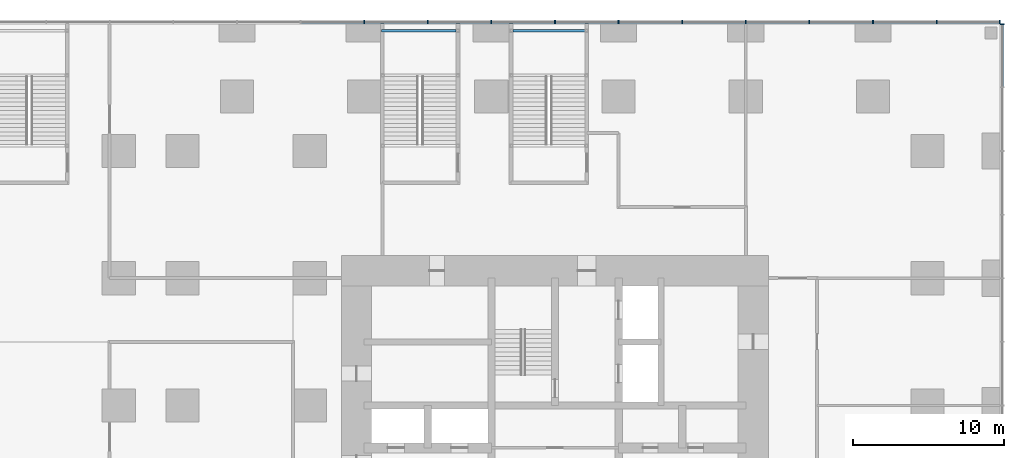
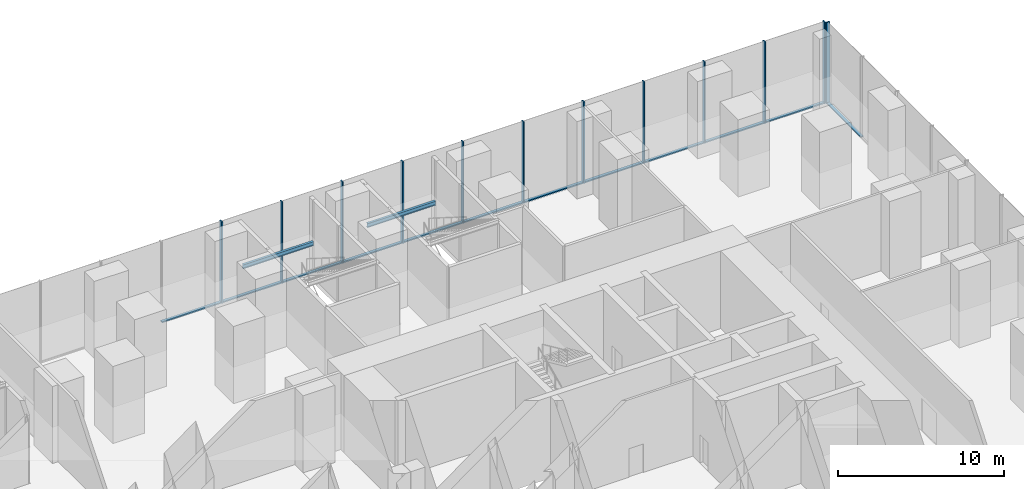
# One storey, part 22 of 32: 24 members, 2 beams, 2 elements without a shape of their own.
"""IFC4 building model written with IfcOpenShell, lengths in metres."""

import ifcopenshell
import ifcopenshell.guid

model = None  # the IFC model being written
_history = None  # IfcOwnerHistory: only IFC2X3 demands one
_inside = {}  # id of a spatial element -> (the spatial element, [elements in it])
_under = {}  # id of a project, library or spatial element -> (it, [spatial elements below it])
_declared = {}  # id of a project -> (the project, [libraries it declares])
_typed = {}  # id of a type object -> (the type object, [elements of that type])
_made_of = {}  # id of a material, layer set ... -> (it, [elements and type objects made of it])


def new_model(schema):
    """Start an empty IFC model of exactly this schema.

    Asked for "IFC4X3", IfcOpenShell would pick the latest addendum, in which some entities
    have other attributes; the version numbers below select the first issue.
    IFC2X3 requires an IfcOwnerHistory on every rooted entity: one is made here for all.
    """
    global model, _history
    if schema == "IFC4X3":
        model = ifcopenshell.file(schema_version=(4, 3, 0, 0))
    else:
        model = ifcopenshell.file(schema=schema)
    _inside.clear()
    _under.clear()
    _declared.clear()
    _typed.clear()
    _made_of.clear()
    _history = None
    if model.schema == "IFC2X3":
        org = make("IfcOrganization", Name="unknown")
        user = make(
            "IfcPersonAndOrganization",
            ThePerson=make("IfcPerson", FamilyName="unknown"),
            TheOrganization=org,
        )
        app = make(
            "IfcApplication",
            ApplicationDeveloper=org,
            Version="unknown",
            ApplicationFullName="unknown",
            ApplicationIdentifier="unknown",
        )
        _history = make(
            "IfcOwnerHistory",
            OwningUser=user,
            OwningApplication=app,
            ChangeAction="ADDED",
            CreationDate=0,
        )
    return model


def make(cls, **values):
    """One entity of the class cls with the attributes given. An attribute that is None is left unset."""
    return model.create_entity(
        cls, **{name: value for name, value in values.items() if value is not None}
    )


def rooted(cls, **values):
    """An entity with a GlobalId (a new one), such as an element, a storey or a relation."""
    return make(cls, GlobalId=ifcopenshell.guid.new(), OwnerHistory=_history, **values)


def si_unit(unit_type, name, prefix=None):
    """IfcSIUnit, for example si_unit("LENGTHUNIT", "METRE", prefix="MILLI")."""
    return make("IfcSIUnit", UnitType=unit_type, Prefix=prefix, Name=name)


def assignment(units):
    """IfcUnitAssignment: the units of a project."""
    return None if units is None else make("IfcUnitAssignment", Units=units)


def point(xyz):
    """IfcCartesianPoint."""
    return None if xyz is None else make("IfcCartesianPoint", Coordinates=xyz)


def direction(xyz):
    """IfcDirection."""
    return None if xyz is None else make("IfcDirection", DirectionRatios=xyz)


def frame(location, z_axis=None, x_axis=None):
    """IfcAxis2Placement3D, a coordinate frame: its origin and axes. An axis left out is left unset."""
    return make(
        "IfcAxis2Placement3D",
        Location=point(location),
        Axis=direction(z_axis),
        RefDirection=direction(x_axis),
    )


def frame_2d(location, x_axis=None):
    """IfcAxis2Placement2D, a coordinate frame in the plane: its origin and x axis."""
    return make(
        "IfcAxis2Placement2D", Location=point(location), RefDirection=direction(x_axis)
    )


def origin():
    """The frame at (0, 0, 0) with its axes left unset."""
    return frame((0.0, 0.0, 0.0))


def origin_2d():
    """The frame at (0, 0) in the plane with its x axis left unset."""
    return frame_2d((0.0, 0.0))


def place(relative_to, where):
    """IfcLocalPlacement: puts the frame where relative to a parent placement (None: the world)."""
    return make(
        "IfcLocalPlacement", PlacementRelTo=relative_to, RelativePlacement=where
    )


def context(
    kind, dimensions, precision=None, world=None, true_north=None, identifier=None
):
    """IfcGeometricRepresentationContext, for example the 3D "Model" context."""
    return make(
        "IfcGeometricRepresentationContext",
        ContextIdentifier=identifier,
        ContextType=kind,
        CoordinateSpaceDimension=dimensions,
        Precision=precision,
        WorldCoordinateSystem=world,
        TrueNorth=true_north,
    )


def subcontext(parent, identifier, kind, view, scale=None):
    """IfcGeometricRepresentationSubContext, for example "Body" below "Model"."""
    return make(
        "IfcGeometricRepresentationSubContext",
        ContextIdentifier=identifier,
        ContextType=kind,
        ParentContext=parent,
        TargetScale=scale,
        TargetView=view,
    )


def project(units=None, contexts=None):
    """IfcProject with its units and contexts."""
    return rooted(
        "IfcProject",
        Name="project",
        RepresentationContexts=contexts,
        UnitsInContext=assignment(units),
    )


def spatial(cls, under=None, at=None, **own):
    """A site, building, storey or space (cls), placed at a placement, below another one or the project."""
    s = rooted(cls, ObjectPlacement=at, **own)
    if under is not None:
        _under.setdefault(under.id(), (under, []))[1].append(s)
    return s


def profile(cls, at=None, kind="AREA", **sizes):
    """A parametric profile (cls). Its sizes go by their IFC names, for example OverallWidth=200.0."""
    return make(cls, ProfileType=kind, Position=at, **sizes)


def rectangle(**sizes):
    """IfcRectangleProfileDef."""
    return profile("IfcRectangleProfileDef", **sizes)


def i_section(**sizes):
    """IfcIShapeProfileDef."""
    return profile("IfcIShapeProfileDef", **sizes)


def extrude(swept, where, along, depth):
    """IfcExtrudedAreaSolid: the profile swept, set in the frame where, extruded along a direction by depth."""
    return make(
        "IfcExtrudedAreaSolid",
        SweptArea=swept,
        Position=where,
        ExtrudedDirection=direction(along),
        Depth=depth,
    )


def shape(context_of_items, identifier, shape_type, items):
    """IfcShapeRepresentation: the items that make up one representation, for example the "Body"."""
    return make(
        "IfcShapeRepresentation",
        ContextOfItems=context_of_items,
        RepresentationIdentifier=identifier,
        RepresentationType=shape_type,
        Items=items,
    )


def material(Name=None, Category=None):
    """IfcMaterial."""
    return make("IfcMaterial", Name=Name, Category=Category)


def material_profile(
    of_material, cross_section, Name=None, Category=None, Priority=None
):
    """IfcMaterialProfile: a cross section and its material."""
    return make(
        "IfcMaterialProfile",
        Name=Name,
        Material=of_material,
        Profile=cross_section,
        Priority=Priority,
        Category=Category,
    )


def profile_set(profiles, Name=None, composite=None):
    """IfcMaterialProfileSet."""
    return make(
        "IfcMaterialProfileSet",
        Name=Name,
        MaterialProfiles=profiles,
        CompositeProfile=composite,
    )


def made_of(thing, what):
    """Note that an element or type object is made of a material, layer set ...; save() writes the relation."""
    if what is not None:
        _made_of.setdefault(what.id(), (what, []))[1].append(thing)
    return thing


def type_object(cls, material=None, **own):
    """A type object (cls), such as IfcWallType, which elements share."""
    return made_of(rooted(cls, **own), material)


def element(
    cls,
    number,
    at=None,
    inside=None,
    cuts=None,
    type_object=None,
    material=None,
    context=None,
    identifier="Body",
    shape_type=None,
    held_by="IfcProductDefinitionShape",
    body=None,
    shapes=None,
    **own,
):
    """One element of the class cls, such as IfcWall. Its Tag is "e" and its number.

    at: its placement. inside: the storey or other place that contains it. cuts: it is an
    opening in that element (IfcRelVoidsElement). A single representation is given by context,
    identifier, shape_type and body (its items); several are given by shapes. held_by: the class
    of the entity that holds the representations. save() writes the other relations.
    """
    e = rooted(cls, Tag="e%d" % number, ObjectPlacement=at, **own)
    if body is not None:
        shapes = [shape(context, identifier, shape_type, body)]
    if shapes is not None:
        e.Representation = make(held_by, Representations=shapes)
    if inside is not None:
        _inside.setdefault(inside.id(), (inside, []))[1].append(e)
    if cuts is not None:
        rooted(
            "IfcRelVoidsElement", RelatingBuildingElement=cuts, RelatedOpeningElement=e
        )
    if type_object is not None:
        _typed.setdefault(type_object.id(), (type_object, []))[1].append(e)
    return made_of(e, material)


def aggregate(whole, parts):
    """IfcRelAggregates: a whole, such as a stair, and the parts it consists of."""
    return rooted("IfcRelAggregates", RelatingObject=whole, RelatedObjects=parts)


def save(model, path):
    """Write the relations noted so far, then the file.

    IfcRelAggregates (storeys below a building ...), IfcRelContainedInSpatialStructure (elements
    in a storey), IfcRelDefinesByType, IfcRelAssociatesMaterial and IfcRelDeclares: one each for
    every whole, place, type object, material and project.
    """
    for whole, parts in _under.values():
        aggregate(whole, parts)
    for where, things in _inside.values():
        rooted(
            "IfcRelContainedInSpatialStructure",
            RelatedElements=things,
            RelatingStructure=where,
        )
    for kind, things in _typed.values():
        rooted("IfcRelDefinesByType", RelatedObjects=things, RelatingType=kind)
    for what, things in _made_of.values():
        rooted("IfcRelAssociatesMaterial", RelatedObjects=things, RelatingMaterial=what)
    for by, libraries in _declared.values():
        rooted("IfcRelDeclares", RelatingContext=by, RelatedDefinitions=libraries)
    model.write(path)


model = new_model("IFC4")

# Units and contexts
model_context = context("Model", 3, precision=1e-05, world=origin(), true_north=direction((0.0, 1.0)))
body_context = subcontext(model_context, "Body", "Model", "MODEL_VIEW")
ifc_project = project(units=[si_unit("LENGTHUNIT", "METRE"), si_unit("AREAUNIT", "SQUARE_METRE"), si_unit("VOLUMEUNIT", "CUBIC_METRE"), si_unit("PLANEANGLEUNIT", "RADIAN"), si_unit("MASSUNIT", "GRAM", prefix="KILO")], contexts=[model_context])

# Site, building, storey
site_placement = place(None, origin())
site = spatial("IfcSite", under=ifc_project, at=site_placement, CompositionType="ELEMENT")
building_placement = place(site_placement, origin())
building = spatial("IfcBuilding", under=site, at=building_placement, Name="Dunama Terrace Hotel", CompositionType="ELEMENT")
storey_placement = place(building_placement, frame((0.0, 0.0, 6.0)))
storey = spatial("IfcBuildingStorey", under=building, at=storey_placement, Name="L01", CompositionType="ELEMENT", Elevation=6.0)

# Curtain wall, member
ifc_material_1 = material(Name="Aluminium curtain wall system", Category="aluminium")
curtain_wall_type = type_object("IfcCurtainWallType", Name="Podium storefront glazing CW-E", PredefinedType="NOTDEFINED", material=ifc_material_1)
curtain_wall_1_placement = place(storey_placement, origin())
curtain_wall_1 = element("IfcCurtainWall", 1, at=curtain_wall_1_placement, inside=storey, type_object=curtain_wall_type, Name="Podium storefront glazing CW-E L01", PredefinedType="NOTDEFINED")
ifc_material_2 = material(Name="Aluminium mullion", Category="aluminium")
ifc_material_profile_1 = material_profile(ifc_material_2, rectangle(XDim=0.080078125, YDim=0.25, at=origin_2d()), Name="CWE MULLION 80X250")
ifc_profile_set_1 = profile_set([ifc_material_profile_1], Name="Aluminium mullion")
member_type_1 = type_object("IfcMemberType", Name="CWE mullion 80x250", PredefinedType="MULLION", material=ifc_profile_set_1)
member_1_placement = place(storey_placement, frame((58.925048828125, 58.760009765625, 0.0), z_axis=(0.0, 0.0, 1.0), x_axis=(0.0, 1.0, 0.0)))
member_1 = element("IfcMember", 2, at=member_1_placement, type_object=member_type_1, Name="CWE mullion", PredefinedType="MULLION", context=body_context, shape_type="SweptSolid", body=[
    extrude(rectangle(XDim=0.080078125, YDim=0.25, at=origin_2d()), origin(), (0.0, 0.0, 1.0), 6.0),
])

# Curtain wall, members
curtain_wall_2_placement = place(storey_placement, origin())
curtain_wall_2 = element("IfcCurtainWall", 3, at=curtain_wall_2_placement, inside=storey, type_object=curtain_wall_type, Name="Podium storefront glazing CW-E L01", PredefinedType="NOTDEFINED")
member_2_placement = place(storey_placement, frame((58.760009765625, 58.925048828125, 0.0), z_axis=(0.0, 0.0, 1.0), x_axis=(-1.0, 0.0, 0.0)))
member_2 = element("IfcMember", 4, at=member_2_placement, type_object=member_type_1, Name="CWE mullion", PredefinedType="MULLION", context=body_context, shape_type="SweptSolid", body=[
    extrude(rectangle(XDim=0.080078125, YDim=0.25, at=origin_2d()), origin(), (0.0, 0.0, 1.0), 6.0),
])
member_3_placement = place(storey_placement, frame((54.60009765625, 58.925048828125, 0.0), z_axis=(0.0, 0.0, 1.0), x_axis=(-1.0, 0.0, 0.0)))
member_3 = element("IfcMember", 5, at=member_3_placement, type_object=member_type_1, Name="CWE mullion", PredefinedType="MULLION", context=body_context, shape_type="SweptSolid", body=[
    extrude(rectangle(XDim=0.080078125, YDim=0.25, at=origin_2d()), origin(), (0.0, 0.0, 1.0), 6.0),
])
member_4_placement = place(storey_placement, frame((50.39990234375, 58.925048828125, 0.0), z_axis=(0.0, 0.0, 1.0), x_axis=(-1.0, 0.0, 0.0)))
member_4 = element("IfcMember", 6, at=member_4_placement, type_object=member_type_1, Name="CWE mullion", PredefinedType="MULLION", context=body_context, shape_type="SweptSolid", body=[
    extrude(rectangle(XDim=0.080078125, YDim=0.25, at=origin_2d()), origin(), (0.0, 0.0, 1.0), 6.0),
])
member_5_placement = place(storey_placement, frame((46.199951171875, 58.925048828125, 0.0), z_axis=(0.0, 0.0, 1.0), x_axis=(-1.0, 0.0, 0.0)))
member_5 = element("IfcMember", 7, at=member_5_placement, type_object=member_type_1, Name="CWE mullion", PredefinedType="MULLION", context=body_context, shape_type="SweptSolid", body=[
    extrude(rectangle(XDim=0.080078125, YDim=0.25, at=origin_2d()), origin(), (0.0, 0.0, 1.0), 6.0),
])
member_6_placement = place(storey_placement, frame((42.0, 58.925048828125, 0.0), z_axis=(0.0, 0.0, 1.0), x_axis=(-1.0, 0.0, 0.0)))
member_6 = element("IfcMember", 8, at=member_6_placement, type_object=member_type_1, Name="CWE mullion", PredefinedType="MULLION", context=body_context, shape_type="SweptSolid", body=[
    extrude(rectangle(XDim=0.080078125, YDim=0.25, at=origin_2d()), origin(), (0.0, 0.0, 1.0), 6.0),
])
member_7_placement = place(storey_placement, frame((37.800048828125, 58.925048828125, 0.0), z_axis=(0.0, 0.0, 1.0), x_axis=(-1.0, 0.0, 0.0)))
member_7 = element("IfcMember", 9, at=member_7_placement, type_object=member_type_1, Name="CWE mullion", PredefinedType="MULLION", context=body_context, shape_type="SweptSolid", body=[
    extrude(rectangle(XDim=0.080078125, YDim=0.25, at=origin_2d()), origin(), (0.0, 0.0, 1.0), 6.0),
])
member_8_placement = place(storey_placement, frame((33.60009765625, 58.925048828125, 0.0), z_axis=(0.0, 0.0, 1.0), x_axis=(-1.0, 0.0, 0.0)))
member_8 = element("IfcMember", 10, at=member_8_placement, type_object=member_type_1, Name="CWE mullion", PredefinedType="MULLION", context=body_context, shape_type="SweptSolid", body=[
    extrude(rectangle(XDim=0.080078125, YDim=0.25, at=origin_2d()), origin(), (0.0, 0.0, 1.0), 6.0),
])
member_9_placement = place(storey_placement, frame((29.39990234375, 58.925048828125, 0.0), z_axis=(0.0, 0.0, 1.0), x_axis=(-1.0, 0.0, 0.0)))
member_9 = element("IfcMember", 11, at=member_9_placement, type_object=member_type_1, Name="CWE mullion", PredefinedType="MULLION", context=body_context, shape_type="SweptSolid", body=[
    extrude(rectangle(XDim=0.080078125, YDim=0.25, at=origin_2d()), origin(), (0.0, 0.0, 1.0), 6.0),
])
member_10_placement = place(storey_placement, frame((25.199951171875, 58.925048828125, 0.0), z_axis=(0.0, 0.0, 1.0), x_axis=(-1.0, 0.0, 0.0)))
member_10 = element("IfcMember", 12, at=member_10_placement, type_object=member_type_1, Name="CWE mullion", PredefinedType="MULLION", context=body_context, shape_type="SweptSolid", body=[
    extrude(rectangle(XDim=0.080078125, YDim=0.25, at=origin_2d()), origin(), (0.0, 0.0, 1.0), 6.0),
])
member_11_placement = place(storey_placement, frame((21.0, 58.925048828125, 0.0), z_axis=(0.0, 0.0, 1.0), x_axis=(-1.0, 0.0, 0.0)))
member_11 = element("IfcMember", 13, at=member_11_placement, type_object=member_type_1, Name="CWE mullion", PredefinedType="MULLION", context=body_context, shape_type="SweptSolid", body=[
    extrude(rectangle(XDim=0.080078125, YDim=0.25, at=origin_2d()), origin(), (0.0, 0.0, 1.0), 6.0),
])
member_12_placement = place(storey_placement, frame((16.800048828125, 58.925048828125, 0.0), z_axis=(0.0, 0.0, 1.0), x_axis=(-1.0, 0.0, 0.0)))
member_12 = element("IfcMember", 14, at=member_12_placement, type_object=member_type_1, Name="CWE mullion", PredefinedType="MULLION", context=body_context, shape_type="SweptSolid", body=[
    extrude(rectangle(XDim=0.080078125, YDim=0.25, at=origin_2d()), origin(), (0.0, 0.0, 1.0), 6.0),
])

# Member
ifc_material_3 = material(Name="Aluminium transom", Category="aluminium")
ifc_material_profile_2 = material_profile(ifc_material_3, rectangle(XDim=0.199951171875, YDim=0.090087890625, at=origin_2d()), Name="CWE TRANSOM 200X90")
ifc_profile_set_2 = profile_set([ifc_material_profile_2], Name="Aluminium transom")
member_type_2 = type_object("IfcMemberType", Name="CWE transom 200x90", PredefinedType="USERDEFINED", material=ifc_profile_set_2)
member_13_placement = place(storey_placement, frame((58.925048828125, 54.639892578125, 0.044921875), z_axis=(0.0, 1.0, 0.0), x_axis=(-1.0, 0.0, 0.0)))
member_13 = element("IfcMember", 15, at=member_13_placement, type_object=member_type_2, Name="CWE transom", ObjectType="TRANSOM", PredefinedType="USERDEFINED", context=body_context, shape_type="SweptSolid", body=[
    extrude(rectangle(XDim=0.199951171875, YDim=0.090087890625, at=origin_2d()), origin(), (0.0, 0.0, 1.0), 4.080078125),
])

aggregate(curtain_wall_1, [member_1, member_13])

member_14_placement = place(storey_placement, frame((58.719970703125, 58.925048828125, 0.044921875), z_axis=(-1.0, 0.0, 0.0), x_axis=(0.0, -1.0, 0.0)))
member_14 = element("IfcMember", 16, at=member_14_placement, type_object=member_type_2, Name="CWE transom", ObjectType="TRANSOM", PredefinedType="USERDEFINED", context=body_context, shape_type="SweptSolid", body=[
    extrude(rectangle(XDim=0.199951171875, YDim=0.090087890625, at=origin_2d()), origin(), (0.0, 0.0, 1.0), 4.080078125),
])

member_15_placement = place(storey_placement, frame((54.56005859375, 58.925048828125, 0.044921875), z_axis=(-1.0, 0.0, 0.0), x_axis=(0.0, -1.0, 0.0)))
member_15 = element("IfcMember", 17, at=member_15_placement, type_object=member_type_2, Name="CWE transom", ObjectType="TRANSOM", PredefinedType="USERDEFINED", context=body_context, shape_type="SweptSolid", body=[
    extrude(rectangle(XDim=0.199951171875, YDim=0.090087890625, at=origin_2d()), origin(), (0.0, 0.0, 1.0), 4.1201171875),
])

member_16_placement = place(storey_placement, frame((50.360107421875, 58.925048828125, 0.044921875), z_axis=(-1.0, 0.0, 0.0), x_axis=(0.0, -1.0, 0.0)))
member_16 = element("IfcMember", 18, at=member_16_placement, type_object=member_type_2, Name="CWE transom", ObjectType="TRANSOM", PredefinedType="USERDEFINED", context=body_context, shape_type="SweptSolid", body=[
    extrude(rectangle(XDim=0.199951171875, YDim=0.090087890625, at=origin_2d()), origin(), (0.0, 0.0, 1.0), 4.1201171875),
])

member_17_placement = place(storey_placement, frame((46.159912109375, 58.925048828125, 0.044921875), z_axis=(-1.0, 0.0, 0.0), x_axis=(0.0, -1.0, 0.0)))
member_17 = element("IfcMember", 19, at=member_17_placement, type_object=member_type_2, Name="CWE transom", ObjectType="TRANSOM", PredefinedType="USERDEFINED", context=body_context, shape_type="SweptSolid", body=[
    extrude(rectangle(XDim=0.199951171875, YDim=0.090087890625, at=origin_2d()), origin(), (0.0, 0.0, 1.0), 4.119873046875),
])

member_18_placement = place(storey_placement, frame((41.9599609375, 58.925048828125, 0.044921875), z_axis=(-1.0, 0.0, 0.0), x_axis=(0.0, -1.0, 0.0)))
member_18 = element("IfcMember", 20, at=member_18_placement, type_object=member_type_2, Name="CWE transom", ObjectType="TRANSOM", PredefinedType="USERDEFINED", context=body_context, shape_type="SweptSolid", body=[
    extrude(rectangle(XDim=0.199951171875, YDim=0.090087890625, at=origin_2d()), origin(), (0.0, 0.0, 1.0), 4.119873046875),
])

member_19_placement = place(storey_placement, frame((37.760009765625, 58.925048828125, 0.044921875), z_axis=(-1.0, 0.0, 0.0), x_axis=(0.0, -1.0, 0.0)))
member_19 = element("IfcMember", 21, at=member_19_placement, type_object=member_type_2, Name="CWE transom", ObjectType="TRANSOM", PredefinedType="USERDEFINED", context=body_context, shape_type="SweptSolid", body=[
    extrude(rectangle(XDim=0.199951171875, YDim=0.090087890625, at=origin_2d()), origin(), (0.0, 0.0, 1.0), 4.1201171875),
])

member_20_placement = place(storey_placement, frame((33.56005859375, 58.925048828125, 0.044921875), z_axis=(-1.0, 0.0, 0.0), x_axis=(0.0, -1.0, 0.0)))
member_20 = element("IfcMember", 22, at=member_20_placement, type_object=member_type_2, Name="CWE transom", ObjectType="TRANSOM", PredefinedType="USERDEFINED", context=body_context, shape_type="SweptSolid", body=[
    extrude(rectangle(XDim=0.199951171875, YDim=0.090087890625, at=origin_2d()), origin(), (0.0, 0.0, 1.0), 4.1201171875),
])

member_21_placement = place(storey_placement, frame((29.360107421875, 58.925048828125, 0.044921875), z_axis=(-1.0, 0.0, 0.0), x_axis=(0.0, -1.0, 0.0)))
member_21 = element("IfcMember", 23, at=member_21_placement, type_object=member_type_2, Name="CWE transom", ObjectType="TRANSOM", PredefinedType="USERDEFINED", context=body_context, shape_type="SweptSolid", body=[
    extrude(rectangle(XDim=0.199951171875, YDim=0.090087890625, at=origin_2d()), origin(), (0.0, 0.0, 1.0), 4.1201171875),
])

member_22_placement = place(storey_placement, frame((25.159912109375, 58.925048828125, 0.044921875), z_axis=(-1.0, 0.0, 0.0), x_axis=(0.0, -1.0, 0.0)))
member_22 = element("IfcMember", 24, at=member_22_placement, type_object=member_type_2, Name="CWE transom", ObjectType="TRANSOM", PredefinedType="USERDEFINED", context=body_context, shape_type="SweptSolid", body=[
    extrude(rectangle(XDim=0.199951171875, YDim=0.090087890625, at=origin_2d()), origin(), (0.0, 0.0, 1.0), 4.119873046875),
])

member_23_placement = place(storey_placement, frame((20.9599609375, 58.925048828125, 0.044921875), z_axis=(-1.0, 0.0, 0.0), x_axis=(0.0, -1.0, 0.0)))
member_23 = element("IfcMember", 25, at=member_23_placement, type_object=member_type_2, Name="CWE transom", ObjectType="TRANSOM", PredefinedType="USERDEFINED", context=body_context, shape_type="SweptSolid", body=[
    extrude(rectangle(XDim=0.199951171875, YDim=0.090087890625, at=origin_2d()), origin(), (0.0, 0.0, 1.0), 4.119873046875),
])

member_24_placement = place(storey_placement, frame((16.760009765625, 58.925048828125, 0.044921875), z_axis=(-1.0, 0.0, 0.0), x_axis=(0.0, -1.0, 0.0)))
member_24 = element("IfcMember", 26, at=member_24_placement, type_object=member_type_2, Name="CWE transom", ObjectType="TRANSOM", PredefinedType="USERDEFINED", context=body_context, shape_type="SweptSolid", body=[
    extrude(rectangle(XDim=0.199951171875, YDim=0.090087890625, at=origin_2d()), origin(), (0.0, 0.0, 1.0), 4.1201171875),
])

aggregate(curtain_wall_2, [member_2, member_3, member_4, member_5, member_6, member_7, member_8, member_9, member_10, member_11, member_12, member_14, member_15, member_16, member_17, member_18, member_19, member_20, member_21, member_22, member_23, member_24])

# Beams
ifc_material_4 = material(Name="Steel S355", Category="steel")
ifc_material_profile_3 = material_profile(ifc_material_4, i_section(OverallWidth=0.1650390625, OverallDepth=0.303466796875, WebThickness=0.006103515625, FlangeThickness=0.01025390625, FilletRadius=0.0087890625, at=origin_2d()), Name="UB 305x165x40")
ifc_profile_set_3 = profile_set([ifc_material_profile_3], Name="Steel S355")
beam_type = type_object("IfcBeamType", Name="Stair beam UB 305x165x40", PredefinedType="BEAM", material=ifc_profile_set_3)
beam_1_placement = place(storey_placement, frame((17.949951171875, 58.35009765625, 2.598388671875), z_axis=(1.0, 0.0, 0.0), x_axis=(0.0, 1.0, 0.0)))
element("IfcBeam", 27, at=beam_1_placement, inside=storey, type_object=beam_type, Name="Stair landing beam P5 L01 far", PredefinedType="BEAM", context=body_context, shape_type="SweptSolid", body=[
    extrude(i_section(OverallWidth=0.1650390625, OverallDepth=0.303466796875, WebThickness=0.006103515625, FlangeThickness=0.01025390625, FilletRadius=0.0087890625, at=origin_2d()), origin(), (0.0, 0.0, 1.0), 4.925048828125),
])
beam_2_placement = place(storey_placement, frame((26.625, 58.35009765625, 2.598388671875), z_axis=(1.0, 0.0, 0.0), x_axis=(0.0, 1.0, 0.0)))
element("IfcBeam", 28, at=beam_2_placement, inside=storey, type_object=beam_type, Name="Stair landing beam P6 L01 far", PredefinedType="BEAM", context=body_context, shape_type="SweptSolid", body=[
    extrude(i_section(OverallWidth=0.1650390625, OverallDepth=0.303466796875, WebThickness=0.006103515625, FlangeThickness=0.01025390625, FilletRadius=0.0087890625, at=origin_2d()), origin(), (0.0, 0.0, 1.0), 4.75),
])

save(model, "model.ifc")
